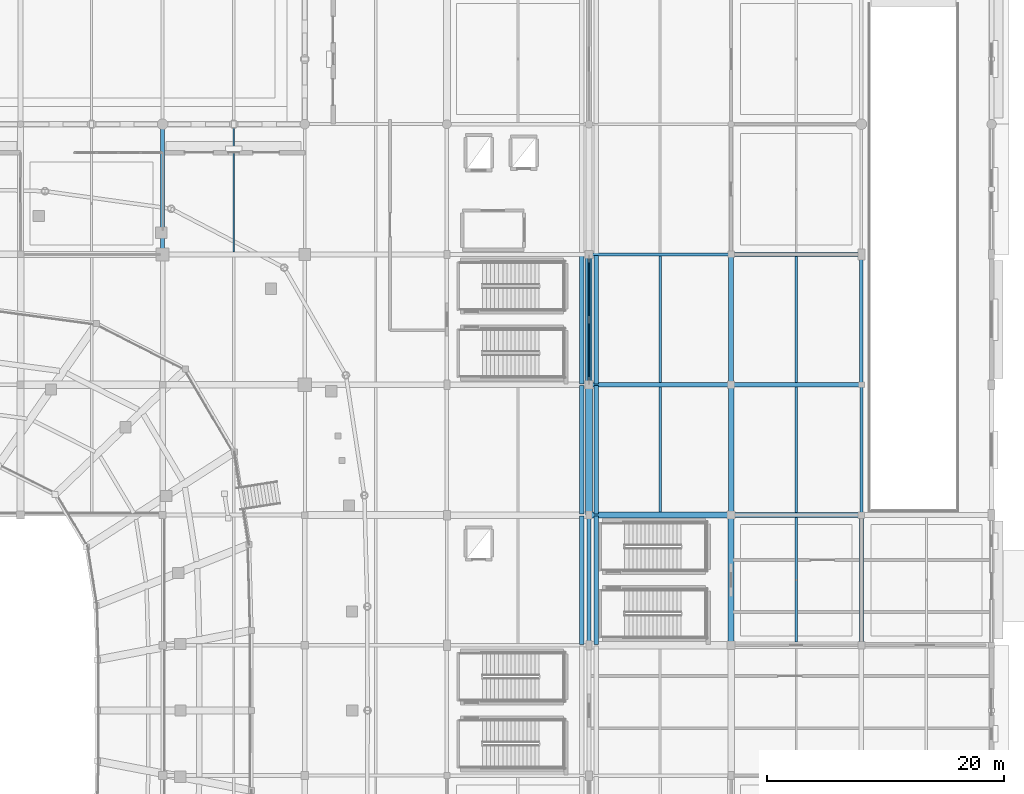
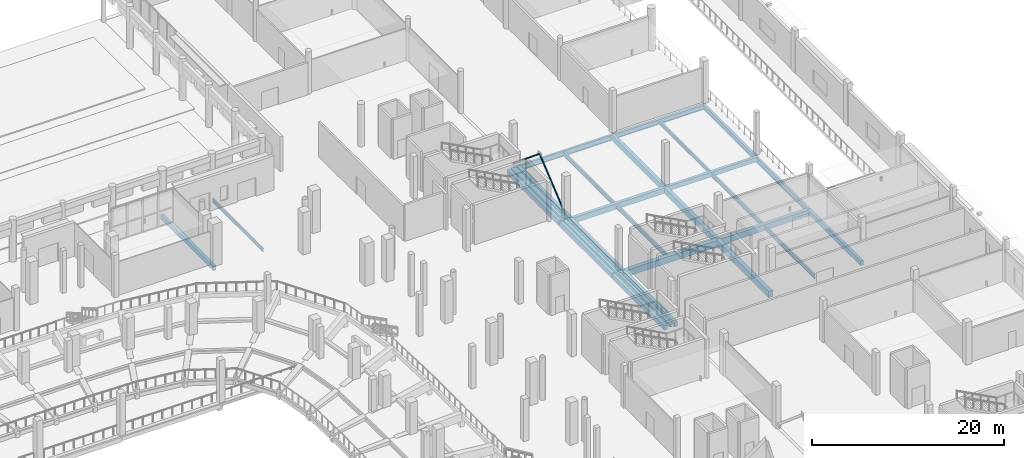
# One storey, part 33 of 120: 28 beams, 2 members.
"""IFC4 building model written with IfcOpenShell, lengths in metres."""

from ifc_helpers import new_model, si_unit, direction, frame, origin, origin_2d, place, context, subcontext, project, spatial, rectangle, hollow_circle, i_section, extrude, material, material_profile, profile_set, type_object, element, save


model = new_model("IFC4")

# Units and contexts
model_context = context("Model", 3, precision=1e-05, world=origin(), true_north=direction((0.0, 1.0)))
body_context = subcontext(model_context, "Body", "Model", "MODEL_VIEW")
ifc_project = project(units=[si_unit("LENGTHUNIT", "METRE"), si_unit("AREAUNIT", "SQUARE_METRE"), si_unit("VOLUMEUNIT", "CUBIC_METRE"), si_unit("PLANEANGLEUNIT", "RADIAN"), si_unit("MASSUNIT", "GRAM", prefix="KILO")], contexts=[model_context])

# Site, building, storey
site_placement = place(None, origin())
site = spatial("IfcSite", under=ifc_project, at=site_placement, CompositionType="ELEMENT")
building_placement = place(site_placement, origin())
building = spatial("IfcBuilding", under=site, at=building_placement, Name="Luwafu Chhajja Arena", CompositionType="ELEMENT")
storey_placement = place(building_placement, origin())
storey = spatial("IfcBuildingStorey", under=building, at=storey_placement, Name="L00", CompositionType="ELEMENT", Elevation=0.0)

# Beams
ifc_material_1 = material(Name="Concrete C35/45", Category="concrete")
ifc_material_profile_1 = material_profile(ifc_material_1, rectangle(XDim=0.35009765625, YDim=0.60009765625, at=origin_2d()), Name="RC 350x600")
ifc_profile_set_1 = profile_set([ifc_material_profile_1], Name="Concrete C35/45")
beam_type_1 = type_object("IfcBeamType", Name="Arcade Tie Beam RC 350x600", PredefinedType="BEAM", material=ifc_profile_set_1)
for number, where, z_axis, x_axis, name in (
    (1, (176.0, 77.0, -0.64990234375), (1.0, 0.0, 0.0), (0.0, 1.0, 0.0), "L00 Grid Beam 16-17/H"),
    (2, (128.0, 88.0, -0.64990234375), (0.0, 1.0, 0.0), (-1.0, 0.0, 0.0), "L00 Grid Beam 12/J-K"),
    (3, (187.0, 55.0, -0.64990234375), (0.0, 1.0, 0.0), (-1.0, 0.0, 0.0), "L00 Grid Beam 17/F-G"),
):
    element("IfcBeam", number, at=place(storey_placement, frame(where, z_axis=z_axis, x_axis=x_axis)), inside=storey, type_object=beam_type_1, Name=name, PredefinedType="BEAM", context=body_context, shape_type="SweptSolid", body=[
        extrude(rectangle(XDim=0.35009765625, YDim=0.60009765625, at=origin_2d()), origin(), (0.0, 0.0, 1.0), 11.0),
    ])

# Members
ifc_material_2 = material(Name="Steel S355", Category="steel")
ifc_material_profile_2 = material_profile(ifc_material_2, hollow_circle(Radius=0.084228515625, WallThickness=0.008056640625, at=origin_2d()), Name="CHS 168.3x8")
ifc_profile_set_2 = profile_set([ifc_material_profile_2], Name="Steel S355")
member_type = type_object("IfcMemberType", Name="Canopy Hanger Brace CHS 168", PredefinedType="BRACE", material=ifc_profile_set_2)
for number, where, z_axis, x_axis, name in (
    (4, (164.0, 77.0, 0.1201171875), (0.0, 0.770526385827, 0.637408102196), (-1.0, 0.0, 0.0), "L00 Lateral Chevron Brace 16A"),
    (5, (164.0, 88.0, 0.1201171875), (0.0, -0.770526385827, 0.637408102196), (1.0, 0.0, 0.0), "L00 Lateral Chevron Brace 16B"),
):
    element("IfcMember", number, at=place(storey_placement, frame(where, z_axis=z_axis, x_axis=x_axis)), inside=storey, type_object=member_type, Name=name, PredefinedType="BRACE", context=body_context, shape_type="SweptSolid", body=[
        extrude(hollow_circle(Radius=0.084228515625, WallThickness=0.008056640625, at=origin_2d()), origin(), (0.0, 0.0, 1.0), 7.137939453125),
    ])

# Beams
ifc_material_profile_3 = material_profile(ifc_material_1, rectangle(XDim=0.60009765625, YDim=0.89990234375, at=origin_2d()), Name="RC 600x900")
ifc_profile_set_3 = profile_set([ifc_material_profile_3], Name="Concrete C35/45")
beam_type_2 = type_object("IfcBeamType", Name="Concourse Primary Girder RC 600x900", PredefinedType="BEAM", material=ifc_profile_set_3)
beam_1_placement = place(storey_placement, frame((164.0, 66.0, -0.800048828125), z_axis=(0.0, 1.0, 0.0), x_axis=(-1.0, 0.0, 0.0)))
element("IfcBeam", 6, at=beam_1_placement, inside=storey, type_object=beam_type_2, Name="L00 Grid Beam 15/G-H", PredefinedType="BEAM", context=body_context, shape_type="SweptSolid", body=[
    extrude(rectangle(XDim=0.60009765625, YDim=0.89990234375, at=origin_2d()), origin(), (0.0, 0.0, 1.0), 11.0),
])
ifc_material_profile_4 = material_profile(ifc_material_1, rectangle(XDim=0.550048828125, YDim=0.949951171875, at=origin_2d()), Name="RC 550x950")
ifc_profile_set_4 = profile_set([ifc_material_profile_4], Name="Concrete C35/45")
beam_type_3 = type_object("IfcBeamType", Name="Concourse Radial Girder RC 550x950", PredefinedType="BEAM", material=ifc_profile_set_4)
beam_2_placement = place(storey_placement, frame((164.0, 77.0, -0.824951171875), z_axis=(0.0, 1.0, 0.0), x_axis=(-1.0, 0.0, 0.0)))
element("IfcBeam", 7, at=beam_2_placement, inside=storey, type_object=beam_type_3, Name="L00 Grid Beam 15/H-J", PredefinedType="BEAM", context=body_context, shape_type="SweptSolid", body=[
    extrude(rectangle(XDim=0.550048828125, YDim=0.949951171875, at=origin_2d()), origin(), (0.0, 0.0, 1.0), 11.0),
])
ifc_material_profile_5 = material_profile(ifc_material_2, i_section(OverallWidth=0.15283203125, OverallDepth=0.45458984375, WebThickness=0.008056640625, FlangeThickness=0.01318359375, at=origin_2d()), Name="UB 457x152x60")
ifc_profile_set_5 = profile_set([ifc_material_profile_5], Name="Steel S355")
beam_type_4 = type_object("IfcBeamType", Name="Floor Joist UB 457x152x60", PredefinedType="JOIST", material=ifc_profile_set_5)
beam_3_placement = place(storey_placement, frame((134.0, 88.22509765625, -0.577392578125), z_axis=(0.0, 1.0, 0.0), x_axis=(-1.0, 0.0, 0.0)))
element("IfcBeam", 8, at=beam_3_placement, inside=storey, type_object=beam_type_4, Name="L00 Secondary Joist 12-13/J", PredefinedType="JOIST", context=body_context, shape_type="SweptSolid", body=[
    extrude(i_section(OverallWidth=0.15283203125, OverallDepth=0.45458984375, WebThickness=0.008056640625, FlangeThickness=0.01318359375, at=origin_2d()), origin(), (0.0, 0.0, 1.0), 10.599853515625),
])
ifc_material_profile_6 = material_profile(ifc_material_2, i_section(OverallWidth=0.19140625, OverallDepth=0.4599609375, WebThickness=0.010009765625, FlangeThickness=0.01611328125, at=origin_2d()), Name="UB 457x191x82")
ifc_profile_set_6 = profile_set([ifc_material_profile_6], Name="Steel S355")
beam_type_5 = type_object("IfcBeamType", Name="Floor Joist UB 457x191x82", PredefinedType="JOIST", material=ifc_profile_set_6)
beam_4_placement = place(storey_placement, frame((181.5, 77.175048828125, -0.580078125), z_axis=(0.0, 1.0, 0.0), x_axis=(-1.0, 0.0, 0.0)))
element("IfcBeam", 9, at=beam_4_placement, inside=storey, type_object=beam_type_5, Name="L00 Secondary Joist 16-17/H", PredefinedType="JOIST", context=body_context, shape_type="SweptSolid", body=[
    extrude(i_section(OverallWidth=0.19140625, OverallDepth=0.4599609375, WebThickness=0.010009765625, FlangeThickness=0.01611328125, at=origin_2d()), origin(), (0.0, 0.0, 1.0), 10.67138671875),
])
ifc_material_profile_7 = material_profile(ifc_material_2, i_section(OverallWidth=0.2099609375, OverallDepth=0.53662109375, WebThickness=0.0107421875, FlangeThickness=0.017333984375, at=origin_2d()), Name="UB 533x210x101")
ifc_profile_set_7 = profile_set([ifc_material_profile_7], Name="Steel S355")
beam_type_6 = type_object("IfcBeamType", Name="Floor Joist UB 533x210x101", PredefinedType="JOIST", material=ifc_profile_set_7)
beam_5_placement = place(storey_placement, frame((170.0, 66.25, -0.618408203125), z_axis=(0.0, 1.0, 0.0), x_axis=(-1.0, 0.0, 0.0)))
element("IfcBeam", 10, at=beam_5_placement, inside=storey, type_object=beam_type_6, Name="L00 Secondary Joist 15-16/G", PredefinedType="JOIST", context=body_context, shape_type="SweptSolid", body=[
    extrude(i_section(OverallWidth=0.2099609375, OverallDepth=0.53662109375, WebThickness=0.0107421875, FlangeThickness=0.017333984375, at=origin_2d()), origin(), (0.0, 0.0, 1.0), 10.550048828125),
])
beam_6_placement = place(storey_placement, frame((181.5, 55.27490234375, -0.618408203125), z_axis=(0.0, 1.0, 0.0), x_axis=(-1.0, 0.0, 0.0)))
element("IfcBeam", 11, at=beam_6_placement, inside=storey, type_object=beam_type_6, Name="L00 Secondary Joist 16-17/F", PredefinedType="JOIST", context=body_context, shape_type="SweptSolid", body=[
    extrude(i_section(OverallWidth=0.2099609375, OverallDepth=0.53662109375, WebThickness=0.0107421875, FlangeThickness=0.017333984375, at=origin_2d()), origin(), (0.0, 0.0, 1.0), 10.5),
])
ifc_material_profile_8 = material_profile(ifc_material_2, i_section(OverallWidth=0.209228515625, OverallDepth=0.533203125, WebThickness=0.010009765625, FlangeThickness=0.015625, at=origin_2d()), Name="UB 533x210x92")
ifc_profile_set_8 = profile_set([ifc_material_profile_8], Name="Steel S355")
beam_type_7 = type_object("IfcBeamType", Name="Floor Joist UB 533x210x92", PredefinedType="JOIST", material=ifc_profile_set_8)
beam_7_placement = place(storey_placement, frame((170.0, 77.199951171875, -0.616455078125), z_axis=(0.0, 1.0, 0.0), x_axis=(-1.0, 0.0, 0.0)))
element("IfcBeam", 12, at=beam_7_placement, inside=storey, type_object=beam_type_7, Name="L00 Secondary Joist 15-16/H", PredefinedType="JOIST", context=body_context, shape_type="SweptSolid", body=[
    extrude(i_section(OverallWidth=0.209228515625, OverallDepth=0.533203125, WebThickness=0.010009765625, FlangeThickness=0.015625, at=origin_2d()), origin(), (0.0, 0.0, 1.0), 10.673095703125),
])
beam_8_placement = place(storey_placement, frame((181.5, 66.22509765625, -0.616455078125), z_axis=(0.0, 1.0, 0.0), x_axis=(-1.0, 0.0, 0.0)))
element("IfcBeam", 13, at=beam_8_placement, inside=storey, type_object=beam_type_7, Name="L00 Secondary Joist 16-17/G", PredefinedType="JOIST", context=body_context, shape_type="SweptSolid", body=[
    extrude(i_section(OverallWidth=0.209228515625, OverallDepth=0.533203125, WebThickness=0.010009765625, FlangeThickness=0.015625, at=origin_2d()), origin(), (0.0, 0.0, 1.0), 10.599853515625),
])
ifc_material_profile_9 = material_profile(ifc_material_1, rectangle(XDim=0.5, YDim=0.800048828125, at=origin_2d()), Name="RC 500x800")
ifc_profile_set_9 = profile_set([ifc_material_profile_9], Name="Concrete C35/45")
beam_type_8 = type_object("IfcBeamType", Name="Hospitality Primary Beam RC 500x800", PredefinedType="BEAM", material=ifc_profile_set_9)
beam_9_placement = place(storey_placement, frame((164.0, 66.0, -0.75), z_axis=(1.0, 0.0, 0.0), x_axis=(0.0, 1.0, 0.0)))
element("IfcBeam", 14, at=beam_9_placement, inside=storey, type_object=beam_type_8, Name="L00 Grid Beam 15-16/G", PredefinedType="BEAM", context=body_context, shape_type="SweptSolid", body=[
    extrude(rectangle(XDim=0.5, YDim=0.800048828125, at=origin_2d()), origin(), (0.0, 0.0, 1.0), 12.0),
])
beam_10_placement = place(storey_placement, frame((176.0, 55.0, -0.75), z_axis=(0.0, 1.0, 0.0), x_axis=(-1.0, 0.0, 0.0)))
element("IfcBeam", 15, at=beam_10_placement, inside=storey, type_object=beam_type_8, Name="L00 Grid Beam 16/F-G", PredefinedType="BEAM", context=body_context, shape_type="SweptSolid", body=[
    extrude(rectangle(XDim=0.5, YDim=0.800048828125, at=origin_2d()), origin(), (0.0, 0.0, 1.0), 11.0),
])
ifc_material_profile_10 = material_profile(ifc_material_1, rectangle(XDim=0.39990234375, YDim=0.60009765625, at=origin_2d()), Name="RC 400x600")
ifc_profile_set_10 = profile_set([ifc_material_profile_10], Name="Concrete C35/45")
beam_type_9 = type_object("IfcBeamType", Name="Podium Perimeter Spandrel RC 400x600", PredefinedType="SPANDREL", material=ifc_profile_set_10)
for number, where, z_axis, x_axis, name in (
    (16, (163.3798828125, 55.080078125, -0.64990234375), (0.0, 1.0, 0.0), (-1.0, 0.0, 0.0), "L00 Movement Joint MJ2W Seat Girder 05"),
    (17, (163.3798828125, 66.080078125, -0.64990234375), (0.0, 1.0, 0.0), (-1.0, 0.0, 0.0), "L00 Movement Joint MJ2W Seat Girder 06"),
    (18, (163.3798828125, 77.080078125, -0.64990234375), (0.0, 1.0, 0.0), (-1.0, 0.0, 0.0), "L00 Movement Joint MJ2W Seat Girder 07"),
    (19, (164.6201171875, 55.080078125, -0.64990234375), (0.0, 1.0, 0.0), (-1.0, 0.0, 0.0), "L00 Movement Joint MJ2E Seat Girder 05"),
    (20, (164.6201171875, 66.080078125, -0.64990234375), (0.0, 1.0, 0.0), (-1.0, 0.0, 0.0), "L00 Movement Joint MJ2E Seat Girder 06"),
    (21, (164.6201171875, 77.080078125, -0.64990234375), (0.0, 1.0, 0.0), (-1.0, 0.0, 0.0), "L00 Movement Joint MJ2E Seat Girder 07"),
):
    element("IfcBeam", number, at=place(storey_placement, frame(where, z_axis=z_axis, x_axis=x_axis)), inside=storey, type_object=beam_type_9, Name=name, PredefinedType="SPANDREL", context=body_context, shape_type="SweptSolid", body=[
        extrude(rectangle(XDim=0.39990234375, YDim=0.60009765625, at=origin_2d()), origin(), (0.0, 0.0, 1.0), 10.83984375),
    ])
ifc_material_profile_11 = material_profile(ifc_material_2, i_section(OverallWidth=0.253662109375, OverallDepth=0.68359375, WebThickness=0.012451171875, FlangeThickness=0.01904296875, at=origin_2d()), Name="UB 686x254x140")
ifc_profile_set_11 = profile_set([ifc_material_profile_11], Name="Steel S355")
beam_type_10 = type_object("IfcBeamType", Name="Steel Concourse Girder UB 686x254x140", PredefinedType="BEAM", material=ifc_profile_set_11)
beam_11_placement = place(storey_placement, frame((164.0, 88.0, -0.691650390625), z_axis=(1.0, 0.0, 0.0), x_axis=(0.0, 1.0, 0.0)))
element("IfcBeam", 22, at=beam_11_placement, inside=storey, type_object=beam_type_10, Name="L00 Grid Beam 15-16/J", PredefinedType="BEAM", context=body_context, shape_type="SweptSolid", body=[
    extrude(i_section(OverallWidth=0.253662109375, OverallDepth=0.68359375, WebThickness=0.012451171875, FlangeThickness=0.01904296875, at=origin_2d()), origin(), (0.0, 0.0, 1.0), 12.0),
])
beam_12_placement = place(storey_placement, frame((187.0, 66.0, -0.691650390625), z_axis=(0.0, 1.0, 0.0), x_axis=(-1.0, 0.0, 0.0)))
element("IfcBeam", 23, at=beam_12_placement, inside=storey, type_object=beam_type_10, Name="L00 Grid Beam 17/G-H", PredefinedType="BEAM", context=body_context, shape_type="SweptSolid", body=[
    extrude(i_section(OverallWidth=0.253662109375, OverallDepth=0.68359375, WebThickness=0.012451171875, FlangeThickness=0.01904296875, at=origin_2d()), origin(), (0.0, 0.0, 1.0), 11.0),
])
ifc_material_profile_12 = material_profile(ifc_material_2, i_section(OverallWidth=0.30712890625, OverallDepth=0.6201171875, WebThickness=0.01416015625, FlangeThickness=0.023681640625, at=origin_2d()), Name="UB 610x305x179")
ifc_profile_set_12 = profile_set([ifc_material_profile_12], Name="Steel S355")
beam_type_11 = type_object("IfcBeamType", Name="Steel Hospitality Girder UB 610x305x179", PredefinedType="BEAM", material=ifc_profile_set_12)
for number, where, z_axis, x_axis, name in (
    (24, (176.0, 88.0, -0.66015625), (1.0, 0.0, 0.0), (0.0, 1.0, 0.0), "L00 Grid Beam 16-17/J"),
    (25, (187.0, 77.0, -0.66015625), (0.0, 1.0, 0.0), (-1.0, 0.0, 0.0), "L00 Grid Beam 17/H-J"),
):
    element("IfcBeam", number, at=place(storey_placement, frame(where, z_axis=z_axis, x_axis=x_axis)), inside=storey, type_object=beam_type_11, Name=name, PredefinedType="BEAM", context=body_context, shape_type="SweptSolid", body=[
        extrude(i_section(OverallWidth=0.30712890625, OverallDepth=0.6201171875, WebThickness=0.01416015625, FlangeThickness=0.023681640625, at=origin_2d()), origin(), (0.0, 0.0, 1.0), 11.0),
    ])
ifc_material_profile_13 = material_profile(ifc_material_2, i_section(OverallWidth=0.300048828125, OverallDepth=0.39990234375, WebThickness=0.013427734375, FlangeThickness=0.02392578125, at=origin_2d()), Name="HEB 400")
ifc_profile_set_13 = profile_set([ifc_material_profile_13], Name="Steel S355")
beam_type_12 = type_object("IfcBeamType", Name="Steel Rigging Grid Beam HEB 400", PredefinedType="BEAM", material=ifc_profile_set_13)
beam_13_placement = place(storey_placement, frame((164.0, 55.0, -0.550048828125), z_axis=(0.0, 1.0, 0.0), x_axis=(-1.0, 0.0, 0.0)))
element("IfcBeam", 26, at=beam_13_placement, inside=storey, type_object=beam_type_12, Name="L00 Grid Beam 15/F-G", PredefinedType="BEAM", context=body_context, shape_type="SweptSolid", body=[
    extrude(i_section(OverallWidth=0.300048828125, OverallDepth=0.39990234375, WebThickness=0.013427734375, FlangeThickness=0.02392578125, at=origin_2d()), origin(), (0.0, 0.0, 1.0), 11.0),
])
ifc_material_profile_14 = material_profile(ifc_material_1, rectangle(XDim=0.39990234375, YDim=0.699951171875, at=origin_2d()), Name="RC 400x700")
ifc_profile_set_14 = profile_set([ifc_material_profile_14], Name="Concrete C35/45")
beam_type_13 = type_object("IfcBeamType", Name="Wing Frame Beam RC 400x700", PredefinedType="BEAM", material=ifc_profile_set_14)
beam_14_placement = place(storey_placement, frame((164.0, 77.0, -0.699951171875), z_axis=(1.0, 0.0, 0.0), x_axis=(0.0, 1.0, 0.0)))
element("IfcBeam", 27, at=beam_14_placement, inside=storey, type_object=beam_type_13, Name="L00 Grid Beam 15-16/H", PredefinedType="BEAM", context=body_context, shape_type="SweptSolid", body=[
    extrude(rectangle(XDim=0.39990234375, YDim=0.699951171875, at=origin_2d()), origin(), (0.0, 0.0, 1.0), 12.0),
])
beam_15_placement = place(storey_placement, frame((176.0, 77.0, -0.699951171875), z_axis=(0.0, 1.0, 0.0), x_axis=(-1.0, 0.0, 0.0)))
element("IfcBeam", 28, at=beam_15_placement, inside=storey, type_object=beam_type_13, Name="L00 Grid Beam 16/H-J", PredefinedType="BEAM", context=body_context, shape_type="SweptSolid", body=[
    extrude(rectangle(XDim=0.39990234375, YDim=0.699951171875, at=origin_2d()), origin(), (0.0, 0.0, 1.0), 11.0),
])
ifc_material_profile_15 = material_profile(ifc_material_1, rectangle(XDim=0.449951171875, YDim=0.75, at=origin_2d()), Name="RC 450x750")
ifc_profile_set_15 = profile_set([ifc_material_profile_15], Name="Concrete C35/45")
beam_type_14 = type_object("IfcBeamType", Name="Wing Primary Beam RC 450x750", PredefinedType="BEAM", material=ifc_profile_set_15)
for number, where, z_axis, x_axis, name in (
    (29, (176.0, 66.0, -0.72509765625), (1.0, 0.0, 0.0), (0.0, 1.0, 0.0), "L00 Grid Beam 16-17/G"),
    (30, (176.0, 66.0, -0.72509765625), (0.0, 1.0, 0.0), (-1.0, 0.0, 0.0), "L00 Grid Beam 16/G-H"),
):
    element("IfcBeam", number, at=place(storey_placement, frame(where, z_axis=z_axis, x_axis=x_axis)), inside=storey, type_object=beam_type_14, Name=name, PredefinedType="BEAM", context=body_context, shape_type="SweptSolid", body=[
        extrude(rectangle(XDim=0.449951171875, YDim=0.75, at=origin_2d()), origin(), (0.0, 0.0, 1.0), 11.0),
    ])

save(model, "model.ifc")
